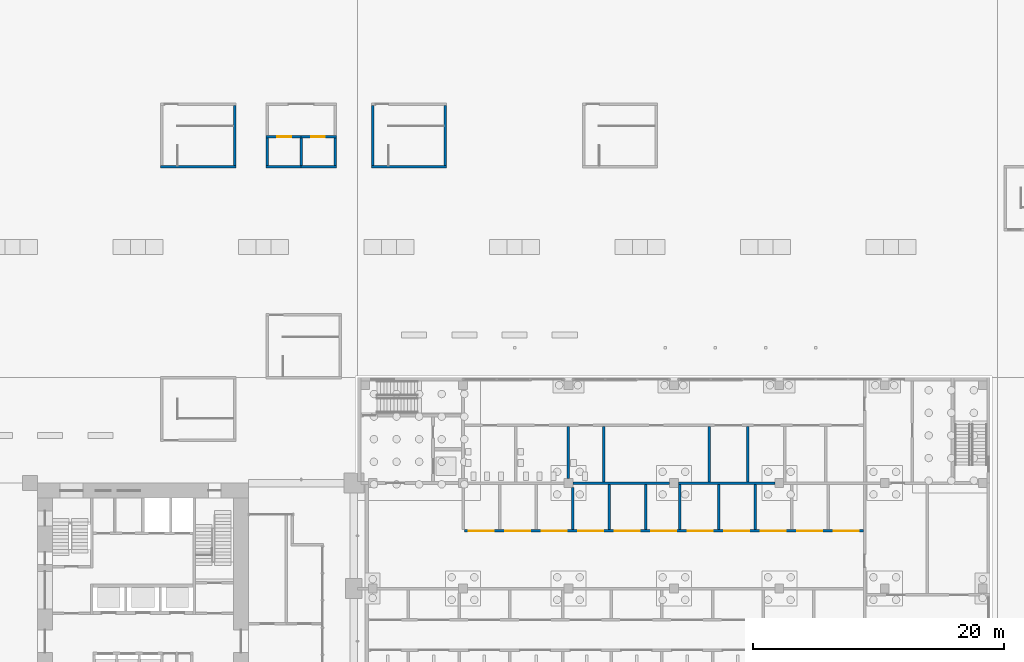
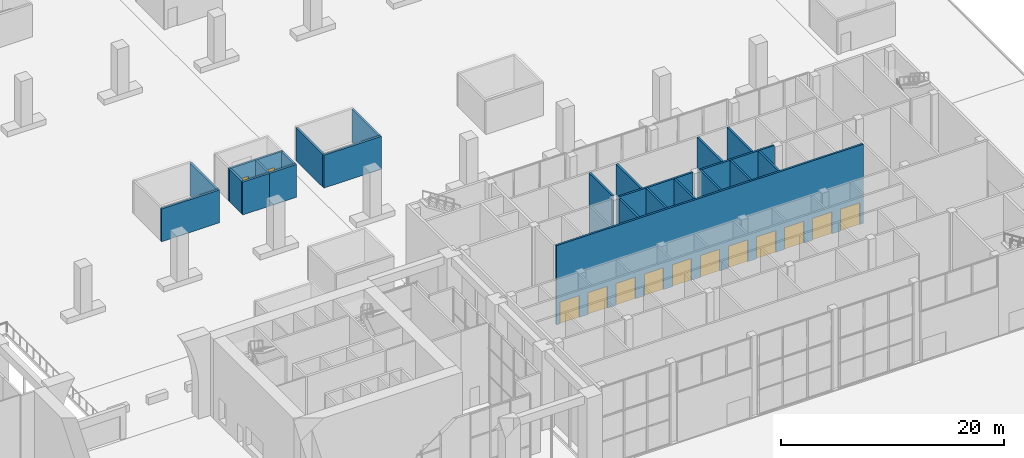
# One storey, part 26 of 46: 25 walls, 13 doors, 13 openings.
"""IFC4 building model written with IfcOpenShell, lengths in metres."""

from ifc_helpers import new_model, si_unit, direction, frame, frame_2d, origin, place, context, subcontext, project, spatial, rectangle, extrude, material, layer, layer_set, type_object, element, fill, save


model = new_model("IFC4")

# Units and contexts
model_context = context("Model", 3, precision=1e-05, world=origin(), true_north=direction((0.0, 1.0)))
body_context = subcontext(model_context, "Body", "Model", "MODEL_VIEW")
ifc_project = project(units=[si_unit("LENGTHUNIT", "METRE"), si_unit("AREAUNIT", "SQUARE_METRE"), si_unit("VOLUMEUNIT", "CUBIC_METRE"), si_unit("PLANEANGLEUNIT", "RADIAN"), si_unit("MASSUNIT", "GRAM", prefix="KILO")], contexts=[model_context])

# Site, building, storey
site_placement = place(None, origin())
site = spatial("IfcSite", under=ifc_project, at=site_placement, CompositionType="ELEMENT")
building_placement = place(site_placement, origin())
building = spatial("IfcBuilding", under=site, at=building_placement, Name="Vermilion Gate Residences", CompositionType="ELEMENT")
storey_placement = place(building_placement, origin())
storey = spatial("IfcBuildingStorey", under=building, at=storey_placement, Name="L00", CompositionType="ELEMENT", Elevation=0.0)

# Wall, openings, doors
ifc_material_1 = material(Name="Masonry", Category="masonry")
ifc_layer_1 = layer(ifc_material_1, 0.199951171875)
ifc_layer_set_1 = layer_set([ifc_layer_1], Name="PARTITION 200 MASONRY EI 60 (MARKET HALL)")
wall_type_1 = type_object("IfcWallType", Name="PARTITION 200 MASONRY EI 60 (MARKET HALL)", PredefinedType="PARTITIONING", material=ifc_layer_set_1)
wall_1_placement = place(storey_placement, frame((76.0, 21.39990234375, 0.0), z_axis=(0.0, 0.0, 1.0), x_axis=(1.0, 0.0, 0.0)))
wall_1 = element("IfcWall", 1, at=wall_1_placement, inside=storey, type_object=wall_type_1, Name="Partition wall L00-26", PredefinedType="PARTITIONING", context=body_context, shape_type="SweptSolid", body=[
    extrude(rectangle(XDim=31.800048828125, YDim=0.199951171875, at=frame_2d((15.89990234375, 0.0))), origin(), (0.0, 0.0, 1.0), 8.699951171875),
])
opening_1_placement = place(wall_1_placement, frame((0.3544921875, 0.0, 0.0)))
opening_1 = element("IfcOpeningElement", 2, at=opening_1_placement, cuts=wall_1, Name="Opening DH00027", PredefinedType="OPENING", context=body_context, shape_type="SweptSolid", body=[
    extrude(rectangle(XDim=2.0, YDim=2.39990234375, at=frame_2d((1.0, 1.199951171875))), frame((0.0, 0.10986328125, 0.0), z_axis=(0.0, -1.0, 0.0), x_axis=(1.0, 0.0, 0.0)), (0.0, 0.0, 1.0), 0.219970703125),
])
opening_2_placement = place(wall_1_placement, frame((3.263671875, 0.0, 0.0)))
opening_2 = element("IfcOpeningElement", 3, at=opening_2_placement, cuts=wall_1, Name="Opening DH00028", PredefinedType="OPENING", context=body_context, shape_type="SweptSolid", body=[
    extrude(rectangle(XDim=2.0, YDim=2.39990234375, at=frame_2d((1.0, 1.199951171875))), frame((0.0, 0.10986328125, 0.0), z_axis=(0.0, -1.0, 0.0), x_axis=(1.0, 0.0, 0.0)), (0.0, 0.0, 1.0), 0.219970703125),
])
opening_3_placement = place(wall_1_placement, frame((6.172607421875, 0.0, 0.0)))
opening_3 = element("IfcOpeningElement", 4, at=opening_3_placement, cuts=wall_1, Name="Opening DH00029", PredefinedType="OPENING", context=body_context, shape_type="SweptSolid", body=[
    extrude(rectangle(XDim=2.0, YDim=2.39990234375, at=frame_2d((1.0, 1.199951171875))), frame((0.0, 0.10986328125, 0.0), z_axis=(0.0, -1.0, 0.0), x_axis=(1.0, 0.0, 0.0)), (0.0, 0.0, 1.0), 0.219970703125),
])
opening_4_placement = place(wall_1_placement, frame((9.081787109375, 0.0, 0.0)))
opening_4 = element("IfcOpeningElement", 5, at=opening_4_placement, cuts=wall_1, Name="Opening DH00030", PredefinedType="OPENING", context=body_context, shape_type="SweptSolid", body=[
    extrude(rectangle(XDim=2.0, YDim=2.39990234375, at=frame_2d((1.0, 1.199951171875))), frame((0.0, 0.10986328125, 0.0), z_axis=(0.0, -1.0, 0.0), x_axis=(1.0, 0.0, 0.0)), (0.0, 0.0, 1.0), 0.219970703125),
])
opening_5_placement = place(wall_1_placement, frame((11.990966796875, 0.0, 0.0)))
opening_5 = element("IfcOpeningElement", 6, at=opening_5_placement, cuts=wall_1, Name="Opening DH00031", PredefinedType="OPENING", context=body_context, shape_type="SweptSolid", body=[
    extrude(rectangle(XDim=2.0, YDim=2.39990234375, at=frame_2d((1.0, 1.199951171875))), frame((0.0, 0.10986328125, 0.0), z_axis=(0.0, -1.0, 0.0), x_axis=(1.0, 0.0, 0.0)), (0.0, 0.0, 1.0), 0.219970703125),
])
opening_6_placement = place(wall_1_placement, frame((14.89990234375, 0.0, 0.0)))
opening_6 = element("IfcOpeningElement", 7, at=opening_6_placement, cuts=wall_1, Name="Opening DH00032", PredefinedType="OPENING", context=body_context, shape_type="SweptSolid", body=[
    extrude(rectangle(XDim=2.0, YDim=2.39990234375, at=frame_2d((1.0, 1.199951171875))), frame((0.0, 0.10986328125, 0.0), z_axis=(0.0, -1.0, 0.0), x_axis=(1.0, 0.0, 0.0)), (0.0, 0.0, 1.0), 0.219970703125),
])
opening_7_placement = place(wall_1_placement, frame((17.80908203125, 0.0, 0.0)))
opening_7 = element("IfcOpeningElement", 8, at=opening_7_placement, cuts=wall_1, Name="Opening DH00033", PredefinedType="OPENING", context=body_context, shape_type="SweptSolid", body=[
    extrude(rectangle(XDim=2.0, YDim=2.39990234375, at=frame_2d((1.0, 1.199951171875))), frame((0.0, 0.10986328125, 0.0), z_axis=(0.0, -1.0, 0.0), x_axis=(1.0, 0.0, 0.0)), (0.0, 0.0, 1.0), 0.219970703125),
])
opening_8_placement = place(wall_1_placement, frame((20.71826171875, 0.0, 0.0)))
opening_8 = element("IfcOpeningElement", 9, at=opening_8_placement, cuts=wall_1, Name="Opening DH00034", PredefinedType="OPENING", context=body_context, shape_type="SweptSolid", body=[
    extrude(rectangle(XDim=2.0, YDim=2.39990234375, at=frame_2d((1.0, 1.199951171875))), frame((0.0, 0.10986328125, 0.0), z_axis=(0.0, -1.0, 0.0), x_axis=(1.0, 0.0, 0.0)), (0.0, 0.0, 1.0), 0.219970703125),
])
opening_9_placement = place(wall_1_placement, frame((23.627197265625, 0.0, 0.0)))
opening_9 = element("IfcOpeningElement", 10, at=opening_9_placement, cuts=wall_1, Name="Opening DH00035", PredefinedType="OPENING", context=body_context, shape_type="SweptSolid", body=[
    extrude(rectangle(XDim=2.0, YDim=2.39990234375, at=frame_2d((1.0, 1.199951171875))), frame((0.0, 0.10986328125, 0.0), z_axis=(0.0, -1.0, 0.0), x_axis=(1.0, 0.0, 0.0)), (0.0, 0.0, 1.0), 0.219970703125),
])
opening_10_placement = place(wall_1_placement, frame((26.536376953125, 0.0, 0.0)))
opening_10 = element("IfcOpeningElement", 11, at=opening_10_placement, cuts=wall_1, Name="Opening DH00036", PredefinedType="OPENING", context=body_context, shape_type="SweptSolid", body=[
    extrude(rectangle(XDim=2.0, YDim=2.39990234375, at=frame_2d((1.0, 1.199951171875))), frame((0.0, 0.10986328125, 0.0), z_axis=(0.0, -1.0, 0.0), x_axis=(1.0, 0.0, 0.0)), (0.0, 0.0, 1.0), 0.219970703125),
])
opening_11_placement = place(wall_1_placement, frame((29.445556640625, 0.0, 0.0)))
opening_11 = element("IfcOpeningElement", 12, at=opening_11_placement, cuts=wall_1, Name="Opening DH00037", PredefinedType="OPENING", context=body_context, shape_type="SweptSolid", body=[
    extrude(rectangle(XDim=2.0, YDim=2.39990234375, at=frame_2d((1.0, 1.199951171875))), frame((0.0, 0.10986328125, 0.0), z_axis=(0.0, -1.0, 0.0), x_axis=(1.0, 0.0, 0.0)), (0.0, 0.0, 1.0), 0.219970703125),
])
ifc_material_2 = material(Name="Aluminium", Category="aluminium")
door_type_1 = type_object("IfcDoorType", Name="STALL ROLLER SHUTTER 2000 X 2400 (MARKET HALL)", OperationType="ROLLINGUP", PredefinedType="DOOR", material=ifc_material_2)
door_1_placement = place(opening_1_placement, origin())
door_1 = element("IfcDoor", 13, at=door_1_placement, inside=storey, type_object=door_type_1, Name="Stall roller shutter DH00027", OperationType="ROLLINGUP", OverallHeight=2.39990234375, OverallWidth=2.0, PredefinedType="DOOR", context=body_context, shape_type="SweptSolid", body=[
    extrude(rectangle(XDim=2.0, YDim=2.39990234375, at=frame_2d((1.0, 1.199951171875))), frame((0.0, 0.02490234375, 0.0), z_axis=(0.0, -1.0, 0.0), x_axis=(1.0, 0.0, 0.0)), (0.0, 0.0, 1.0), 0.050048828125),
])
fill(opening_1, door_1)
door_2_placement = place(opening_2_placement, origin())
door_2 = element("IfcDoor", 14, at=door_2_placement, inside=storey, type_object=door_type_1, Name="Stall roller shutter DH00028", OperationType="ROLLINGUP", OverallHeight=2.39990234375, OverallWidth=2.0, PredefinedType="DOOR", context=body_context, shape_type="SweptSolid", body=[
    extrude(rectangle(XDim=2.0, YDim=2.39990234375, at=frame_2d((1.0, 1.199951171875))), frame((0.0, 0.02490234375, 0.0), z_axis=(0.0, -1.0, 0.0), x_axis=(1.0, 0.0, 0.0)), (0.0, 0.0, 1.0), 0.050048828125),
])
fill(opening_2, door_2)
door_3_placement = place(opening_3_placement, origin())
door_3 = element("IfcDoor", 15, at=door_3_placement, inside=storey, type_object=door_type_1, Name="Stall roller shutter DH00029", OperationType="ROLLINGUP", OverallHeight=2.39990234375, OverallWidth=2.0, PredefinedType="DOOR", context=body_context, shape_type="SweptSolid", body=[
    extrude(rectangle(XDim=2.0, YDim=2.39990234375, at=frame_2d((1.0, 1.199951171875))), frame((0.0, 0.02490234375, 0.0), z_axis=(0.0, -1.0, 0.0), x_axis=(1.0, 0.0, 0.0)), (0.0, 0.0, 1.0), 0.050048828125),
])
fill(opening_3, door_3)
door_4_placement = place(opening_4_placement, origin())
door_4 = element("IfcDoor", 16, at=door_4_placement, inside=storey, type_object=door_type_1, Name="Stall roller shutter DH00030", OperationType="ROLLINGUP", OverallHeight=2.39990234375, OverallWidth=2.0, PredefinedType="DOOR", context=body_context, shape_type="SweptSolid", body=[
    extrude(rectangle(XDim=2.0, YDim=2.39990234375, at=frame_2d((1.0, 1.199951171875))), frame((0.0, 0.02490234375, 0.0), z_axis=(0.0, -1.0, 0.0), x_axis=(1.0, 0.0, 0.0)), (0.0, 0.0, 1.0), 0.050048828125),
])
fill(opening_4, door_4)
door_5_placement = place(opening_5_placement, origin())
door_5 = element("IfcDoor", 17, at=door_5_placement, inside=storey, type_object=door_type_1, Name="Stall roller shutter DH00031", OperationType="ROLLINGUP", OverallHeight=2.39990234375, OverallWidth=2.0, PredefinedType="DOOR", context=body_context, shape_type="SweptSolid", body=[
    extrude(rectangle(XDim=2.0, YDim=2.39990234375, at=frame_2d((1.0, 1.199951171875))), frame((0.0, 0.02490234375, 0.0), z_axis=(0.0, -1.0, 0.0), x_axis=(1.0, 0.0, 0.0)), (0.0, 0.0, 1.0), 0.050048828125),
])
fill(opening_5, door_5)
door_6_placement = place(opening_6_placement, origin())
door_6 = element("IfcDoor", 18, at=door_6_placement, inside=storey, type_object=door_type_1, Name="Stall roller shutter DH00032", OperationType="ROLLINGUP", OverallHeight=2.39990234375, OverallWidth=2.0, PredefinedType="DOOR", context=body_context, shape_type="SweptSolid", body=[
    extrude(rectangle(XDim=2.0, YDim=2.39990234375, at=frame_2d((1.0, 1.199951171875))), frame((0.0, 0.02490234375, 0.0), z_axis=(0.0, -1.0, 0.0), x_axis=(1.0, 0.0, 0.0)), (0.0, 0.0, 1.0), 0.050048828125),
])
fill(opening_6, door_6)
door_7_placement = place(opening_7_placement, origin())
door_7 = element("IfcDoor", 19, at=door_7_placement, inside=storey, type_object=door_type_1, Name="Stall roller shutter DH00033", OperationType="ROLLINGUP", OverallHeight=2.39990234375, OverallWidth=2.0, PredefinedType="DOOR", context=body_context, shape_type="SweptSolid", body=[
    extrude(rectangle(XDim=2.0, YDim=2.39990234375, at=frame_2d((1.0, 1.199951171875))), frame((0.0, 0.02490234375, 0.0), z_axis=(0.0, -1.0, 0.0), x_axis=(1.0, 0.0, 0.0)), (0.0, 0.0, 1.0), 0.050048828125),
])
fill(opening_7, door_7)
door_8_placement = place(opening_8_placement, origin())
door_8 = element("IfcDoor", 20, at=door_8_placement, inside=storey, type_object=door_type_1, Name="Stall roller shutter DH00034", OperationType="ROLLINGUP", OverallHeight=2.39990234375, OverallWidth=2.0, PredefinedType="DOOR", context=body_context, shape_type="SweptSolid", body=[
    extrude(rectangle(XDim=2.0, YDim=2.39990234375, at=frame_2d((1.0, 1.199951171875))), frame((0.0, 0.02490234375, 0.0), z_axis=(0.0, -1.0, 0.0), x_axis=(1.0, 0.0, 0.0)), (0.0, 0.0, 1.0), 0.050048828125),
])
fill(opening_8, door_8)
door_9_placement = place(opening_9_placement, origin())
door_9 = element("IfcDoor", 21, at=door_9_placement, inside=storey, type_object=door_type_1, Name="Stall roller shutter DH00035", OperationType="ROLLINGUP", OverallHeight=2.39990234375, OverallWidth=2.0, PredefinedType="DOOR", context=body_context, shape_type="SweptSolid", body=[
    extrude(rectangle(XDim=2.0, YDim=2.39990234375, at=frame_2d((1.0, 1.199951171875))), frame((0.0, 0.02490234375, 0.0), z_axis=(0.0, -1.0, 0.0), x_axis=(1.0, 0.0, 0.0)), (0.0, 0.0, 1.0), 0.050048828125),
])
fill(opening_9, door_9)
door_10_placement = place(opening_10_placement, origin())
door_10 = element("IfcDoor", 22, at=door_10_placement, inside=storey, type_object=door_type_1, Name="Stall roller shutter DH00036", OperationType="ROLLINGUP", OverallHeight=2.39990234375, OverallWidth=2.0, PredefinedType="DOOR", context=body_context, shape_type="SweptSolid", body=[
    extrude(rectangle(XDim=2.0, YDim=2.39990234375, at=frame_2d((1.0, 1.199951171875))), frame((0.0, 0.02490234375, 0.0), z_axis=(0.0, -1.0, 0.0), x_axis=(1.0, 0.0, 0.0)), (0.0, 0.0, 1.0), 0.050048828125),
])
fill(opening_10, door_10)
door_11_placement = place(opening_11_placement, origin())
door_11 = element("IfcDoor", 23, at=door_11_placement, inside=storey, type_object=door_type_1, Name="Stall roller shutter DH00037", OperationType="ROLLINGUP", OverallHeight=2.39990234375, OverallWidth=2.0, PredefinedType="DOOR", context=body_context, shape_type="SweptSolid", body=[
    extrude(rectangle(XDim=2.0, YDim=2.39990234375, at=frame_2d((1.0, 1.199951171875))), frame((0.0, 0.02490234375, 0.0), z_axis=(0.0, -1.0, 0.0), x_axis=(1.0, 0.0, 0.0)), (0.0, 0.0, 1.0), 0.050048828125),
])
fill(opening_11, door_11)

# Walls
wall_2_placement = place(storey_placement, frame((84.64990234375, 25.199951171875, 0.0), z_axis=(0.0, 0.0, 1.0), x_axis=(1.0, 0.0, 0.0)))
element("IfcWall", 24, at=wall_2_placement, inside=storey, type_object=wall_type_1, Name="Partition wall L00-30", PredefinedType="PARTITIONING", context=body_context, shape_type="SweptSolid", body=[
    extrude(rectangle(XDim=7.7001953125, YDim=0.199951171875, at=frame_2d((3.85009765625, 0.0))), origin(), (0.0, 0.0, 1.0), 8.699951171875),
])
wall_3_placement = place(storey_placement, frame((93.050048828125, 25.199951171875, 0.0), z_axis=(0.0, 0.0, 1.0), x_axis=(1.0, 0.0, 0.0)))
element("IfcWall", 25, at=wall_3_placement, inside=storey, type_object=wall_type_1, Name="Partition wall L00-31", PredefinedType="PARTITIONING", context=body_context, shape_type="SweptSolid", body=[
    extrude(rectangle(XDim=7.699951171875, YDim=0.199951171875, at=frame_2d((3.85009765625, 0.0))), origin(), (0.0, 0.0, 1.0), 8.699951171875),
])
wall_4_placement = place(storey_placement, frame((84.300048828125, 25.550048828125, 0.0), z_axis=(0.0, 0.0, 1.0), x_axis=(0.0, 1.0, 0.0)))
element("IfcWall", 26, at=wall_4_placement, inside=storey, type_object=wall_type_1, Name="Partition wall L00-63", PredefinedType="PARTITIONING", context=body_context, shape_type="SweptSolid", body=[
    extrude(rectangle(XDim=4.14990234375, YDim=0.199951171875, at=frame_2d((2.074951171875, 0.0))), origin(), (0.0, 0.0, 1.0), 8.699951171875),
])
wall_5_placement = place(storey_placement, frame((84.627197265625, 21.5, 0.0), z_axis=(0.0, 0.0, 1.0), x_axis=(0.0, 1.0, 0.0)))
element("IfcWall", 27, at=wall_5_placement, inside=storey, type_object=wall_type_1, Name="Partition wall L00-64", PredefinedType="PARTITIONING", context=body_context, shape_type="SweptSolid", body=[
    extrude(rectangle(XDim=3.35009765625, YDim=0.199951171875, at=frame_2d((1.675048828125, 0.0))), origin(), (0.0, 0.0, 1.0), 8.699951171875),
])
wall_6_placement = place(storey_placement, frame((87.10009765625, 25.300048828125, 0.0), z_axis=(0.0, 0.0, 1.0), x_axis=(0.0, 1.0, 0.0)))
element("IfcWall", 28, at=wall_6_placement, inside=storey, type_object=wall_type_1, Name="Partition wall L00-66", PredefinedType="PARTITIONING", context=body_context, shape_type="SweptSolid", body=[
    extrude(rectangle(XDim=4.39990234375, YDim=0.199951171875, at=frame_2d((2.199951171875, 0.0))), origin(), (0.0, 0.0, 1.0), 8.699951171875),
])
for number, where, z_axis, x_axis, name in (
    (29, (87.536376953125, 21.5, 0.0), (0.0, 0.0, 1.0), (0.0, 1.0, 0.0), "Partition wall L00-67"),
    (30, (90.445556640625, 21.5, 0.0), (0.0, 0.0, 1.0), (0.0, 1.0, 0.0), "Partition wall L00-70"),
    (31, (93.14990234375, 21.5, 0.0), (0.0, 0.0, 1.0), (0.0, 1.0, 0.0), "Partition wall L00-74"),
):
    element("IfcWall", number, at=place(storey_placement, frame(where, z_axis=z_axis, x_axis=x_axis)), inside=storey, type_object=wall_type_1, Name=name, PredefinedType="PARTITIONING", context=body_context, shape_type="SweptSolid", body=[
        extrude(rectangle(XDim=3.60009765625, YDim=0.199951171875, at=frame_2d((1.800048828125, 0.0))), origin(), (0.0, 0.0, 1.0), 8.699951171875),
    ])
wall_7_placement = place(storey_placement, frame((95.5, 25.300048828125, 0.0), z_axis=(0.0, 0.0, 1.0), x_axis=(0.0, 1.0, 0.0)))
element("IfcWall", 32, at=wall_7_placement, inside=storey, type_object=wall_type_1, Name="Partition wall L00-75", PredefinedType="PARTITIONING", context=body_context, shape_type="SweptSolid", body=[
    extrude(rectangle(XDim=4.39990234375, YDim=0.199951171875, at=frame_2d((2.199951171875, 0.0))), origin(), (0.0, 0.0, 1.0), 8.699951171875),
])
wall_8_placement = place(storey_placement, frame((96.263671875, 21.5, 0.0), z_axis=(0.0, 0.0, 1.0), x_axis=(0.0, 1.0, 0.0)))
element("IfcWall", 33, at=wall_8_placement, inside=storey, type_object=wall_type_1, Name="Partition wall L00-78", PredefinedType="PARTITIONING", context=body_context, shape_type="SweptSolid", body=[
    extrude(rectangle(XDim=3.60009765625, YDim=0.199951171875, at=frame_2d((1.800048828125, 0.0))), origin(), (0.0, 0.0, 1.0), 8.699951171875),
])
wall_9_placement = place(storey_placement, frame((98.60009765625, 25.300048828125, 0.0), z_axis=(0.0, 0.0, 1.0), x_axis=(0.0, 1.0, 0.0)))
element("IfcWall", 34, at=wall_9_placement, inside=storey, type_object=wall_type_1, Name="Partition wall L00-80", PredefinedType="PARTITIONING", context=body_context, shape_type="SweptSolid", body=[
    extrude(rectangle(XDim=4.39990234375, YDim=0.199951171875, at=frame_2d((2.199951171875, 0.0))), origin(), (0.0, 0.0, 1.0), 8.699951171875),
])
wall_10_placement = place(storey_placement, frame((99.172607421875, 21.5, 0.0), z_axis=(0.0, 0.0, 1.0), x_axis=(0.0, 1.0, 0.0)))
element("IfcWall", 35, at=wall_10_placement, inside=storey, type_object=wall_type_1, Name="Partition wall L00-81", PredefinedType="PARTITIONING", context=body_context, shape_type="SweptSolid", body=[
    extrude(rectangle(XDim=3.60009765625, YDim=0.199951171875, at=frame_2d((1.800048828125, 0.0))), origin(), (0.0, 0.0, 1.0), 8.699951171875),
])
ifc_material_3 = material(Name="Concrete C40", Category="concrete")
ifc_layer_2 = layer(ifc_material_3, 0.199951171875)
ifc_layer_set_2 = layer_set([ifc_layer_2], Name="RC STAIR AND SHAFT WALL 200 EI 180 C40 (AMENITY)")
wall_type_2 = type_object("IfcWallType", Name="RC STAIR AND SHAFT WALL 200 EI 180 C40 (AMENITY)", PredefinedType="SOLIDWALL", material=ifc_layer_set_2)
wall_11_placement = place(storey_placement, frame((51.800048828125, 50.39990234375, 0.0), z_axis=(0.0, 0.0, 1.0), x_axis=(1.0, 0.0, 0.0)))
element("IfcWall", 36, at=wall_11_placement, inside=storey, type_object=wall_type_2, Name="Stair and shaft wall 30", PredefinedType="SOLIDWALL", context=body_context, shape_type="SweptSolid", body=[
    extrude(rectangle(XDim=6.0, YDim=0.199951171875, at=frame_2d((3.0, 0.0))), origin(), (0.0, 0.0, 1.0), 3.60009765625),
])
wall_12_placement = place(storey_placement, frame((57.699951171875, 50.5, 0.0), z_axis=(0.0, 0.0, 1.0), x_axis=(0.0, 1.0, 0.0)))
element("IfcWall", 37, at=wall_12_placement, inside=storey, type_object=wall_type_2, Name="Stair and shaft wall 36", PredefinedType="SOLIDWALL", context=body_context, shape_type="SweptSolid", body=[
    extrude(rectangle(XDim=4.800048828125, YDim=0.199951171875, at=frame_2d((2.39990234375, 0.0))), origin(), (0.0, 0.0, 1.0), 3.60009765625),
])
wall_13_placement = place(storey_placement, frame((60.300048828125, 50.5, 0.0), z_axis=(0.0, 0.0, 1.0), x_axis=(0.0, 1.0, 0.0)))
element("IfcWall", 38, at=wall_13_placement, inside=storey, type_object=wall_type_2, Name="Stair and shaft wall 41", PredefinedType="SOLIDWALL", context=body_context, shape_type="SweptSolid", body=[
    extrude(rectangle(XDim=2.199951171875, YDim=0.199951171875, at=frame_2d((1.10009765625, 0.0))), origin(), (0.0, 0.0, 1.0), 3.60009765625),
])
wall_14_placement = place(storey_placement, frame((60.199951171875, 50.39990234375, 0.0), z_axis=(0.0, 0.0, 1.0), x_axis=(1.0, 0.0, 0.0)))
element("IfcWall", 39, at=wall_14_placement, inside=storey, type_object=wall_type_2, Name="Stair and shaft wall 42", PredefinedType="SOLIDWALL", context=body_context, shape_type="SweptSolid", body=[
    extrude(rectangle(XDim=2.800048828125, YDim=0.199951171875, at=frame_2d((1.39990234375, 0.0))), origin(), (0.0, 0.0, 1.0), 3.60009765625),
])

# Wall, opening, door
wall_15_placement = place(storey_placement, frame((60.199951171875, 52.800048828125, 0.0), z_axis=(0.0, 0.0, 1.0), x_axis=(1.0, 0.0, 0.0)))
wall_15 = element("IfcWall", 40, at=wall_15_placement, inside=storey, type_object=wall_type_2, Name="Stair and shaft wall 44", PredefinedType="SOLIDWALL", context=body_context, shape_type="SweptSolid", body=[
    extrude(rectangle(XDim=2.800048828125, YDim=0.199951171875, at=frame_2d((1.39990234375, 0.0))), origin(), (0.0, 0.0, 1.0), 3.60009765625),
])
opening_12_placement = place(wall_15_placement, frame((0.89990234375, 0.0, 0.0)))
opening_12 = element("IfcOpeningElement", 41, at=opening_12_placement, cuts=wall_15, Name="Opening LD", PredefinedType="OPENING", context=body_context, shape_type="SweptSolid", body=[
    extrude(rectangle(XDim=1.10009765625, YDim=2.10009765625, at=frame_2d((0.550048828125, 1.050048828125))), frame((0.0, 0.10986328125, 0.0), z_axis=(0.0, -1.0, 0.0), x_axis=(1.0, 0.0, 0.0)), (0.0, 0.0, 1.0), 0.219970703125),
])
ifc_material_4 = material(Name="Stainless steel", Category="steel")
door_type_2 = type_object("IfcDoorType", Name="LIFT LANDING DOOR 1100 X 2100 (AMENITY)", OperationType="SLIDING_TO_LEFT", PredefinedType="DOOR", material=ifc_material_4)
door_12_placement = place(opening_12_placement, origin())
door_12 = element("IfcDoor", 42, at=door_12_placement, inside=storey, type_object=door_type_2, Name="Lift landing door", OperationType="SLIDING_TO_LEFT", OverallHeight=2.10009765625, OverallWidth=1.10009765625, PredefinedType="DOOR", context=body_context, shape_type="SweptSolid", body=[
    extrude(rectangle(XDim=1.10009765625, YDim=2.10009765625, at=frame_2d((0.550048828125, 1.050048828125))), frame((0.0, 0.02490234375, 0.0), z_axis=(0.0, -1.0, 0.0), x_axis=(1.0, 0.0, 0.0)), (0.0, 0.0, 1.0), 0.050048828125),
])
fill(opening_12, door_12)

# Walls
wall_16_placement = place(storey_placement, frame((63.0, 50.5, 0.0), z_axis=(0.0, 0.0, 1.0), x_axis=(0.0, 1.0, 0.0)))
element("IfcWall", 43, at=wall_16_placement, inside=storey, type_object=wall_type_2, Name="Stair and shaft wall 46", PredefinedType="SOLIDWALL", context=body_context, shape_type="SweptSolid", body=[
    extrude(rectangle(XDim=2.199951171875, YDim=0.199951171875, at=frame_2d((1.10009765625, 0.0))), origin(), (0.0, 0.0, 1.0), 3.60009765625),
])
wall_17_placement = place(storey_placement, frame((63.0, 50.39990234375, 0.0), z_axis=(0.0, 0.0, 1.0), x_axis=(1.0, 0.0, 0.0)))
element("IfcWall", 44, at=wall_17_placement, inside=storey, type_object=wall_type_2, Name="Stair and shaft wall 47", PredefinedType="SOLIDWALL", context=body_context, shape_type="SweptSolid", body=[
    extrude(rectangle(XDim=2.800048828125, YDim=0.199951171875, at=frame_2d((1.39990234375, 0.0))), origin(), (0.0, 0.0, 1.0), 3.60009765625),
])

# Wall, opening, door
wall_18_placement = place(storey_placement, frame((63.0, 52.800048828125, 0.0), z_axis=(0.0, 0.0, 1.0), x_axis=(1.0, 0.0, 0.0)))
wall_18 = element("IfcWall", 45, at=wall_18_placement, inside=storey, type_object=wall_type_2, Name="Stair and shaft wall 48", PredefinedType="SOLIDWALL", context=body_context, shape_type="SweptSolid", body=[
    extrude(rectangle(XDim=2.800048828125, YDim=0.199951171875, at=frame_2d((1.39990234375, 0.0))), origin(), (0.0, 0.0, 1.0), 3.60009765625),
])
opening_13_placement = place(wall_18_placement, frame((0.800048828125, 0.0, 0.0)))
opening_13 = element("IfcOpeningElement", 46, at=opening_13_placement, cuts=wall_18, Name="Opening LD", PredefinedType="OPENING", context=body_context, shape_type="SweptSolid", body=[
    extrude(rectangle(XDim=1.10009765625, YDim=2.10009765625, at=frame_2d((0.550048828125, 1.050048828125))), frame((0.0, 0.10986328125, 0.0), z_axis=(0.0, -1.0, 0.0), x_axis=(1.0, 0.0, 0.0)), (0.0, 0.0, 1.0), 0.219970703125),
])
door_13_placement = place(opening_13_placement, origin())
door_13 = element("IfcDoor", 47, at=door_13_placement, inside=storey, type_object=door_type_2, Name="Lift landing door", OperationType="SLIDING_TO_LEFT", OverallHeight=2.10009765625, OverallWidth=1.10009765625, PredefinedType="DOOR", context=body_context, shape_type="SweptSolid", body=[
    extrude(rectangle(XDim=1.10009765625, YDim=2.10009765625, at=frame_2d((0.550048828125, 1.050048828125))), frame((0.0, 0.02490234375, 0.0), z_axis=(0.0, -1.0, 0.0), x_axis=(1.0, 0.0, 0.0)), (0.0, 0.0, 1.0), 0.050048828125),
])
fill(opening_13, door_13)

# Walls
wall_19_placement = place(storey_placement, frame((65.699951171875, 50.5, 0.0), z_axis=(0.0, 0.0, 1.0), x_axis=(0.0, 1.0, 0.0)))
element("IfcWall", 48, at=wall_19_placement, inside=storey, type_object=wall_type_2, Name="Stair and shaft wall 49", PredefinedType="SOLIDWALL", context=body_context, shape_type="SweptSolid", body=[
    extrude(rectangle(XDim=2.199951171875, YDim=0.199951171875, at=frame_2d((1.10009765625, 0.0))), origin(), (0.0, 0.0, 1.0), 3.60009765625),
])
wall_20_placement = place(storey_placement, frame((68.699951171875, 50.5, 0.0), z_axis=(0.0, 0.0, 1.0), x_axis=(0.0, 1.0, 0.0)))
element("IfcWall", 49, at=wall_20_placement, inside=storey, type_object=wall_type_2, Name="Stair and shaft wall 52", PredefinedType="SOLIDWALL", context=body_context, shape_type="SweptSolid", body=[
    extrude(rectangle(XDim=4.800048828125, YDim=0.199951171875, at=frame_2d((2.39990234375, 0.0))), origin(), (0.0, 0.0, 1.0), 3.60009765625),
])
wall_21_placement = place(storey_placement, frame((68.60009765625, 50.39990234375, 0.0), z_axis=(0.0, 0.0, 1.0), x_axis=(1.0, 0.0, 0.0)))
element("IfcWall", 50, at=wall_21_placement, inside=storey, type_object=wall_type_2, Name="Stair and shaft wall 53", PredefinedType="SOLIDWALL", context=body_context, shape_type="SweptSolid", body=[
    extrude(rectangle(XDim=6.0, YDim=0.199951171875, at=frame_2d((3.0, 0.0))), origin(), (0.0, 0.0, 1.0), 3.60009765625),
])
wall_22_placement = place(storey_placement, frame((74.5, 50.5, 0.0), z_axis=(0.0, 0.0, 1.0), x_axis=(0.0, 1.0, 0.0)))
element("IfcWall", 51, at=wall_22_placement, inside=storey, type_object=wall_type_2, Name="Stair and shaft wall 58", PredefinedType="SOLIDWALL", context=body_context, shape_type="SweptSolid", body=[
    extrude(rectangle(XDim=4.800048828125, YDim=0.199951171875, at=frame_2d((2.39990234375, 0.0))), origin(), (0.0, 0.0, 1.0), 3.60009765625),
])

save(model, "model.ifc")
